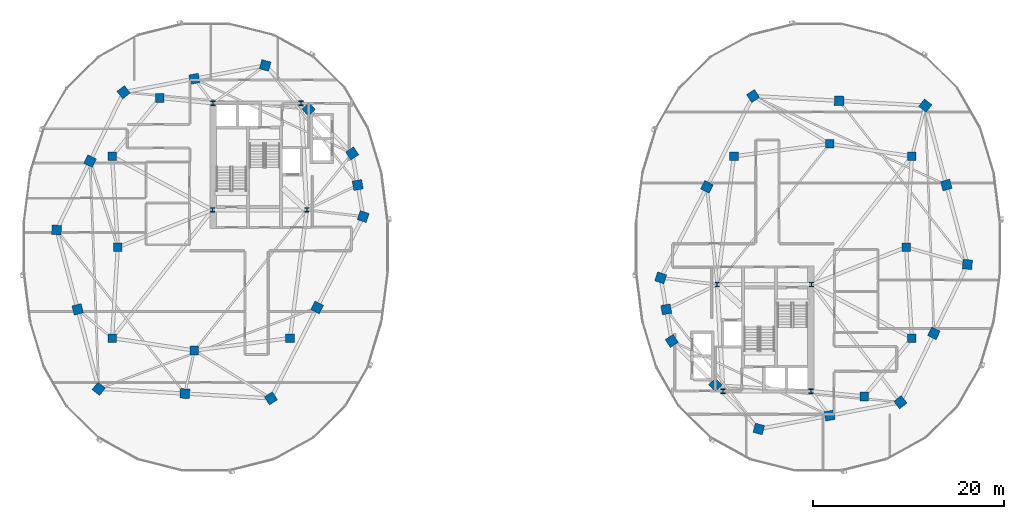
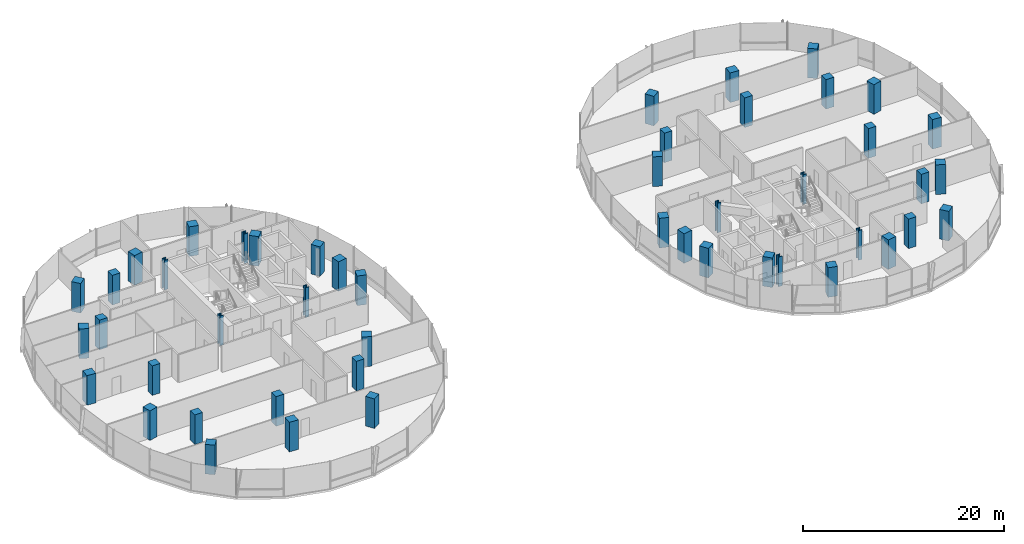
# One storey, part 1 of 23: 48 columns.
"""IFC4 building model written with IfcOpenShell, lengths in metres."""

from ifc_helpers import new_model, si_unit, direction, frame, origin, origin_2d, place, context, subcontext, project, spatial, rectangle, i_section, extrude, material, material_profile, profile_set, type_object, element, save


model = new_model("IFC4")

# Units and contexts
model_context = context("Model", 3, precision=1e-05, world=origin(), true_north=direction((0.0, 1.0)))
body_context = subcontext(model_context, "Body", "Model", "MODEL_VIEW")
ifc_project = project(units=[si_unit("LENGTHUNIT", "METRE"), si_unit("AREAUNIT", "SQUARE_METRE"), si_unit("VOLUMEUNIT", "CUBIC_METRE"), si_unit("PLANEANGLEUNIT", "RADIAN"), si_unit("MASSUNIT", "GRAM", prefix="KILO"), si_unit("THERMODYNAMICTEMPERATUREUNIT", "KELVIN"), si_unit("POWERUNIT", "WATT")], contexts=[model_context])

# Site, building, storey
site_placement = place(None, origin())
site = spatial("IfcSite", under=ifc_project, at=site_placement, CompositionType="ELEMENT")
building_placement = place(site_placement, origin())
building = spatial("IfcBuilding", under=site, at=building_placement, Name="Cundina Bronze Exchange", CompositionType="ELEMENT")
storey_placement = place(building_placement, frame((0.0, 0.0, 176.39990234375)))
storey = spatial("IfcBuildingStorey", under=building, at=storey_placement, Name="L46", CompositionType="ELEMENT", Elevation=176.39990234375)

# Columns
ifc_material_1 = material(Name="Steel ASTM A992 Grade 50", Category="steel")
ifc_material_profile_1 = material_profile(ifc_material_1, i_section(OverallWidth=0.431884765625, OverallDepth=0.498046875, WebThickness=0.0556640625, FlangeThickness=0.0888671875, FilletRadius=0.01806640625, at=origin_2d()), Name="W14X500", Category="steel")
ifc_profile_set_1 = profile_set([ifc_material_profile_1], Name="Steel ASTM A992 Grade 50")
column_type_1 = type_object("IfcColumnType", Name="COL-STL-W14A", PredefinedType="COLUMN", material=ifc_profile_set_1)
for number, where, z_axis, x_axis, name in (
    (1, (-31.300048828125, 3.89990234375, 0.0), (0.0, 0.0, 1.0), (1.0, 0.0, 0.0), "L46 Core Anchor Column W1"),
    (2, (-21.449951171875, 3.89990234375, 0.0), (0.0, 0.0, 1.0), (1.0, 0.0, 0.0), "L46 Core Anchor Column W2"),
    (3, (-22.050048828125, 15.050048828125, 0.0), (0.0, 0.0, 1.0), (1.0, 0.0, 0.0), "L46 Core Anchor Column W3"),
    (4, (-31.25, 15.050048828125, 0.0), (0.0, 0.0, 1.0), (1.0, 0.0, 0.0), "L46 Core Anchor Column W4"),
    (5, (31.300048828125, -3.89990234375, 0.0), (0.0, 0.0, 1.0), (1.0, 0.0, 0.0), "L46 Core Anchor Column E1"),
    (6, (21.449951171875, -3.89990234375, 0.0), (0.0, 0.0, 1.0), (1.0, 0.0, 0.0), "L46 Core Anchor Column E2"),
    (7, (22.050048828125, -15.050048828125, 0.0), (0.0, 0.0, 1.0), (1.0, 0.0, 0.0), "L46 Core Anchor Column E3"),
    (8, (31.25, -15.050048828125, 0.0), (0.0, 0.0, 1.0), (1.0, 0.0, 0.0), "L46 Core Anchor Column E4"),
):
    element("IfcColumn", number, at=place(storey_placement, frame(where, z_axis=z_axis, x_axis=x_axis)), inside=storey, type_object=column_type_1, Name=name, PredefinedType="COLUMN", context=body_context, shape_type="SweptSolid", body=[
        extrude(i_section(OverallWidth=0.431884765625, OverallDepth=0.498046875, WebThickness=0.0556640625, FlangeThickness=0.0888671875, FilletRadius=0.01806640625, at=origin_2d()), origin(), (0.0, 0.0, 1.0), 3.60009765625),
    ])
ifc_material_2 = material(Name="Concrete C50/60", Category="concrete")
ifc_material_profile_2 = material_profile(ifc_material_2, rectangle(XDim=1.0, YDim=1.0, at=origin_2d()), Name="RC1000X1000", Category="concrete")
ifc_profile_set_2 = profile_set([ifc_material_profile_2], Name="Concrete C50/60")
column_type_2 = type_object("IfcColumnType", Name="COL-Z3-1000", PredefinedType="COLUMN", material=ifc_profile_set_2)
for number, where, z_axis, x_axis, name in (
    (9, (-15.550048828125, 3.199951171875, 0.0), (0.0, 0.0, 1.0), (0.315152163383, 0.949041155016, 0.0), "L46 W Perimeter Column 00"),
    (10, (-16.125, 6.5, 0.0), (0.0, 0.0, 1.0), (-0.171585221787, 0.985169280715, 0.0), "L46 W Perimeter Column 01"),
    (11, (-16.699951171875, 9.800048828125, 0.0), (0.0, 0.0, 1.0), (-0.544199833495, 0.838955625301, 0.0), "L46 W Perimeter Column 02"),
    (12, (-21.25, 14.39990234375, 0.0), (0.0, 0.0, 1.0), (-0.703270634186, 0.710922228581, 0.0), "L46 W Perimeter Column 03"),
    (13, (-25.800048828125, 19.0, 0.0), (0.0, 0.0, 1.0), (-0.965970984022, 0.258650455301, 0.0), "L46 W Perimeter Column 04"),
    (14, (-33.199951171875, 17.60009765625, 0.0), (0.0, 0.0, 1.0), (-0.98258037664, -0.185838110843, 0.0), "L46 W Perimeter Column 05"),
    (15, (-40.60009765625, 16.199951171875, 0.0), (0.0, 0.0, 1.0), (-0.785100778485, -0.619368038909, 0.0), "L46 W Perimeter Column 06"),
    (16, (-44.10009765625, 9.0, 0.0), (0.0, 0.0, 1.0), (-0.437115766651, -0.899405251566, 0.0), "L46 W Perimeter Column 07"),
    (17, (-47.60009765625, 1.800048828125, 0.0), (0.0, 0.0, 1.0), (-0.083503921245, -0.996507448611, 0.0), "L46 W Perimeter Column 08"),
    (18, (-45.39990234375, -6.5, 0.0), (0.0, 0.0, 1.0), (0.256289373133, -0.966600102017, 0.0), "L46 W Perimeter Column 09"),
    (19, (-43.199951171875, -14.800048828125, 0.0), (0.0, 0.0, 1.0), (0.786288432137, -0.61785961309, 0.0), "L46 W Perimeter Column 10"),
    (20, (-34.199951171875, -15.300048828125, 0.0), (0.0, 0.0, 1.0), (0.998460188734, -0.055472980025, 0.0), "L46 W Perimeter Column 11"),
    (21, (-25.199951171875, -15.800048828125, 0.0), (0.0, 0.0, 1.0), (0.838099763533, 0.545516989988, 0.0), "L46 W Perimeter Column 12"),
    (22, (-20.375, -6.300048828125, 0.0), (0.0, 0.0, 1.0), (0.452901591366, 0.891560513111, 0.0), "L46 W Perimeter Column 13"),
    (23, (15.550048828125, -3.199951171875, 0.0), (0.0, 0.0, 1.0), (-0.315152163383, -0.949041155016, 0.0), "L46 E Perimeter Column 00"),
    (24, (16.125, -6.5, 0.0), (0.0, 0.0, 1.0), (0.171585221787, -0.985169280715, 0.0), "L46 E Perimeter Column 01"),
    (25, (16.699951171875, -9.800048828125, 0.0), (0.0, 0.0, 1.0), (0.544199833495, -0.838955625301, 0.0), "L46 E Perimeter Column 02"),
    (26, (21.25, -14.39990234375, 0.0), (0.0, 0.0, 1.0), (0.703270634186, -0.710922228581, 0.0), "L46 E Perimeter Column 03"),
    (27, (25.800048828125, -19.0, 0.0), (0.0, 0.0, 1.0), (0.965970984022, -0.258650455301, 0.0), "L46 E Perimeter Column 04"),
    (28, (33.199951171875, -17.60009765625, 0.0), (0.0, 0.0, 1.0), (0.98258037664, 0.185838110843, 0.0), "L46 E Perimeter Column 05"),
    (29, (40.60009765625, -16.199951171875, 0.0), (0.0, 0.0, 1.0), (0.785100778485, 0.619368038909, 0.0), "L46 E Perimeter Column 06"),
    (30, (44.10009765625, -9.0, 0.0), (0.0, 0.0, 1.0), (0.437115766651, 0.899405251566, 0.0), "L46 E Perimeter Column 07"),
    (31, (47.60009765625, -1.800048828125, 0.0), (0.0, 0.0, 1.0), (0.083503921245, 0.996507448611, 0.0), "L46 E Perimeter Column 08"),
    (32, (45.39990234375, 6.5, 0.0), (0.0, 0.0, 1.0), (-0.256289373133, 0.966600102017, 0.0), "L46 E Perimeter Column 09"),
    (33, (43.199951171875, 14.800048828125, 0.0), (0.0, 0.0, 1.0), (-0.786288432137, 0.61785961309, 0.0), "L46 E Perimeter Column 10"),
    (34, (34.199951171875, 15.300048828125, 0.0), (0.0, 0.0, 1.0), (-0.998460188734, 0.055472980025, 0.0), "L46 E Perimeter Column 11"),
    (35, (25.199951171875, 15.800048828125, 0.0), (0.0, 0.0, 1.0), (-0.838099763533, -0.545516989988, 0.0), "L46 E Perimeter Column 12"),
    (36, (20.375, 6.300048828125, 0.0), (0.0, 0.0, 1.0), (-0.452901591366, -0.891560513111, 0.0), "L46 E Perimeter Column 13"),
):
    element("IfcColumn", number, at=place(storey_placement, frame(where, z_axis=z_axis, x_axis=x_axis)), inside=storey, type_object=column_type_2, Name=name, PredefinedType="COLUMN", context=body_context, shape_type="SweptSolid", body=[
        extrude(rectangle(XDim=1.0, YDim=1.0, at=origin_2d()), origin(), (0.0, 0.0, 1.0), 3.60009765625),
    ])
ifc_material_profile_3 = material_profile(ifc_material_2, rectangle(XDim=0.89990234375, YDim=0.89990234375, at=origin_2d()), Name="RC900X900", Category="concrete")
ifc_profile_set_3 = profile_set([ifc_material_profile_3], Name="Concrete C50/60")
column_type_3 = type_object("IfcColumnType", Name="COL-Z4-900", PredefinedType="COLUMN", material=ifc_profile_set_3)
for number, where, z_axis, x_axis, name in (
    (37, (-41.199951171875, 0.0, 0.0), (0.0, 0.0, 1.0), (1.0, 0.0, 0.0), "L46 W Inner Ring Column 1"),
    (38, (-41.800048828125, 9.5, 0.0), (0.0, 0.0, 1.0), (1.0, 0.0, 0.0), "L46 W Inner Ring Column 2"),
    (39, (-36.800048828125, 15.60009765625, 0.0), (0.0, 0.0, 1.0), (1.0, 0.0, 0.0), "L46 W Inner Ring Column 3"),
    (40, (-41.800048828125, -9.5, 0.0), (0.0, 0.0, 1.0), (1.0, 0.0, 0.0), "L46 W Inner Ring Column 4"),
    (41, (-33.199951171875, -10.800048828125, 0.0), (0.0, 0.0, 1.0), (1.0, 0.0, 0.0), "L46 W Inner Ring Column 5"),
    (42, (-23.199951171875, -9.5, 0.0), (0.0, 0.0, 1.0), (1.0, 0.0, 0.0), "L46 W Inner Ring Column 6"),
    (43, (41.199951171875, 0.0, 0.0), (0.0, 0.0, 1.0), (1.0, 0.0, 0.0), "L46 E Inner Ring Column 1"),
    (44, (41.800048828125, -9.5, 0.0), (0.0, 0.0, 1.0), (1.0, 0.0, 0.0), "L46 E Inner Ring Column 2"),
    (45, (36.800048828125, -15.60009765625, 0.0), (0.0, 0.0, 1.0), (1.0, 0.0, 0.0), "L46 E Inner Ring Column 3"),
    (46, (41.800048828125, 9.5, 0.0), (0.0, 0.0, 1.0), (1.0, 0.0, 0.0), "L46 E Inner Ring Column 4"),
    (47, (33.199951171875, 10.800048828125, 0.0), (0.0, 0.0, 1.0), (1.0, 0.0, 0.0), "L46 E Inner Ring Column 5"),
    (48, (23.199951171875, 9.5, 0.0), (0.0, 0.0, 1.0), (1.0, 0.0, 0.0), "L46 E Inner Ring Column 6"),
):
    element("IfcColumn", number, at=place(storey_placement, frame(where, z_axis=z_axis, x_axis=x_axis)), inside=storey, type_object=column_type_3, Name=name, PredefinedType="COLUMN", context=body_context, shape_type="SweptSolid", body=[
        extrude(rectangle(XDim=0.89990234375, YDim=0.89990234375, at=origin_2d()), origin(), (0.0, 0.0, 1.0), 3.60009765625),
    ])

save(model, "model.ifc")
